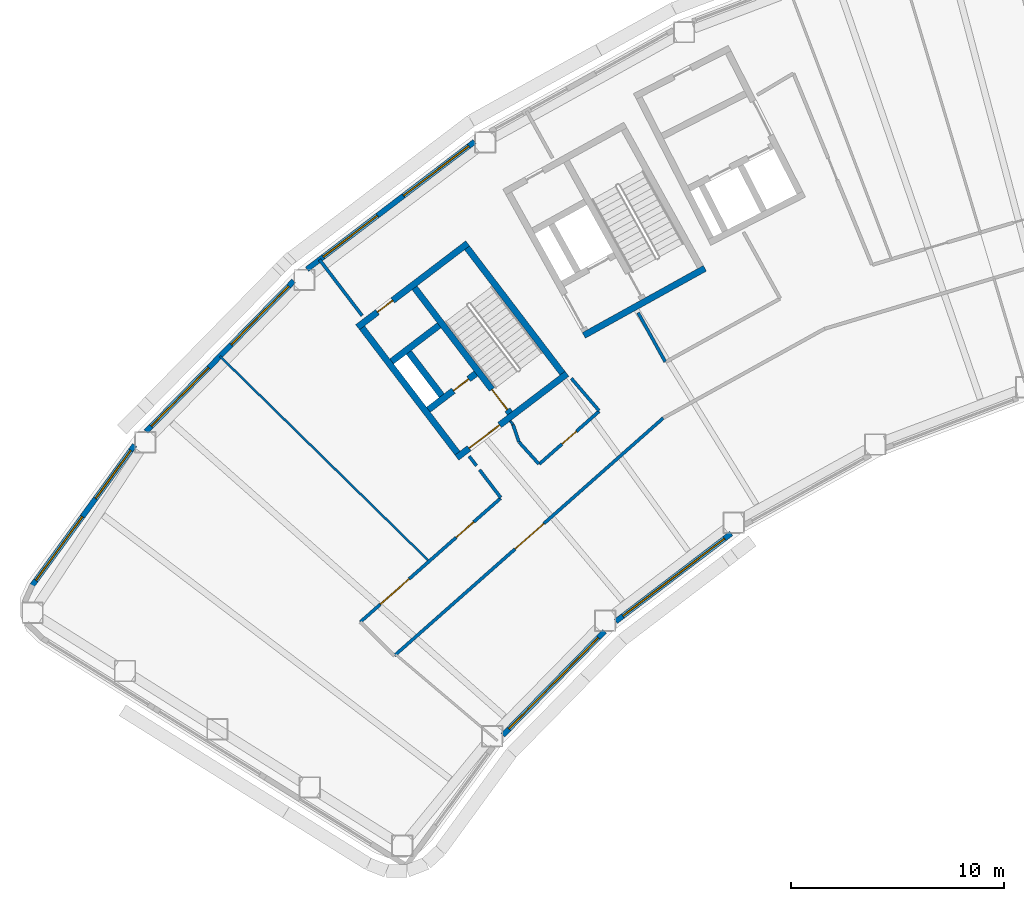
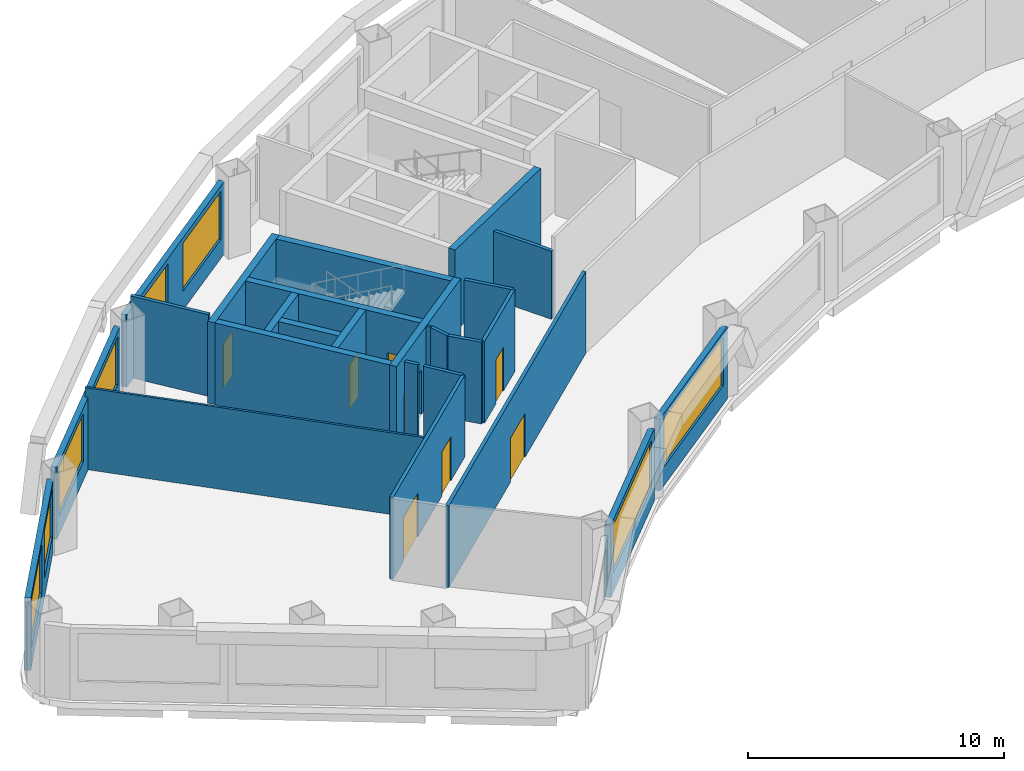
# One storey, part 3 of 11: 26 walls, 8 doors, 8 windows, 16 openings.
"""IFC4 building model written with IfcOpenShell, lengths in metres."""

from ifc_helpers import new_model, si_unit, direction, frame, frame_2d, origin, place, context, subcontext, project, spatial, rectangle, extrude, material, layer, layer_set, type_object, element, fill, save


model = new_model("IFC4")

# Units and contexts
model_context = context("Model", 3, precision=1e-05, world=origin(), true_north=direction((0.0, 1.0)))
body_context = subcontext(model_context, "Body", "Model", "MODEL_VIEW")
ifc_project = project(units=[si_unit("LENGTHUNIT", "METRE"), si_unit("AREAUNIT", "SQUARE_METRE"), si_unit("VOLUMEUNIT", "CUBIC_METRE"), si_unit("PLANEANGLEUNIT", "RADIAN"), si_unit("MASSUNIT", "GRAM", prefix="KILO")], contexts=[model_context])

# Site, building, storey
site_placement = place(None, origin())
site = spatial("IfcSite", under=ifc_project, at=site_placement, CompositionType="ELEMENT")
building_placement = place(site_placement, origin())
building = spatial("IfcBuilding", under=site, at=building_placement, Name="Tuul Gate Civic Tower", CompositionType="ELEMENT")
storey_placement = place(building_placement, frame((0.0, 0.0, 142.39990234375)))
storey = spatial("IfcBuildingStorey", under=building, at=storey_placement, Name="Level 32", CompositionType="ELEMENT", Elevation=142.39990234375)

# Wall, opening, door
ifc_material_1 = material(Name="Concrete C50/60", Category="concrete")
ifc_layer_1 = layer(ifc_material_1, 0.300048828125)
ifc_layer_set_1 = layer_set([ifc_layer_1], Name="Concrete C50/60")
wall_type_1 = type_object("IfcWallType", Name="Core wall C50/60", PredefinedType="SHEAR", material=ifc_layer_set_1)
wall_1_placement = place(storey_placement, frame((-31.19091796875, -13.669677734375, 0.0), z_axis=(0.0, 0.0, 1.0), x_axis=(-0.795606717756, -0.605813461934, 0.0)))
wall_1 = element("IfcWall", 1, at=wall_1_placement, inside=storey, type_object=wall_type_1, Name="Core wall", PredefinedType="SHEAR", context=body_context, shape_type="SweptSolid", body=[
    extrude(rectangle(XDim=6.5, YDim=0.300048828125, at=frame_2d((3.25, 0.0))), origin(), (0.0, 0.0, 1.0), 3.900146484375),
])
opening_1_placement = place(wall_1_placement, frame((3.97509765625, 0.0, 0.0)))
opening_1 = element("IfcOpeningElement", 2, at=opening_1_placement, cuts=wall_1, Name="Opening LB-W1-LOBBY-1", PredefinedType="OPENING", context=body_context, shape_type="SweptSolid", body=[
    extrude(rectangle(XDim=1.800048828125, YDim=2.10009765625, at=frame_2d((0.89990234375, 1.050048828125))), frame((0.0, 0.16015625, 0.0), z_axis=(0.0, -1.0, 0.0), x_axis=(1.0, 0.0, 0.0)), (0.0, 0.0, 1.0), 0.320068359375),
])
ifc_material_2 = material(Name="Steel", Category="steel")
door_type_1 = type_object("IfcDoorType", Name="Lobby door", OperationType="DOUBLE_DOOR_SINGLE_SWING", PredefinedType="DOOR", material=ifc_material_2)
door_1_placement = place(opening_1_placement, origin())
door_1 = element("IfcDoor", 3, at=door_1_placement, inside=storey, type_object=door_type_1, Name="Lobby door W1-LOBBY", OperationType="DOUBLE_DOOR_SINGLE_SWING", OverallHeight=2.10009765625, OverallWidth=1.800048828125, PredefinedType="DOOR", context=body_context, shape_type="SweptSolid", body=[
    extrude(rectangle(XDim=1.800048828125, YDim=2.10009765625, at=frame_2d((0.89990234375, 1.050048828125))), frame((0.0, 0.02490234375, 0.0), z_axis=(0.0, -1.0, 0.0), x_axis=(1.0, 0.0, 0.0)), (0.0, 0.0, 1.0), 0.050048828125),
])
fill(opening_1, door_1)

wall_2_placement = place(storey_placement, frame((-35.470947265625, -13.66064453125, 0.0), z_axis=(0.0, 0.0, 1.0), x_axis=(-0.795615822227, -0.605801504968, 0.0)))
wall_2 = element("IfcWall", 4, at=wall_2_placement, inside=storey, type_object=wall_type_1, Name="Core wall", PredefinedType="SHEAR", context=body_context, shape_type="SweptSolid", body=[
    extrude(rectangle(XDim=2.800048828125, YDim=0.300048828125, at=frame_2d((1.39990234375, 0.0))), origin(), (0.0, 0.0, 1.0), 3.900146484375),
])
opening_2_placement = place(wall_2_placement, frame((0.425048828125, 0.0, 0.0)))
opening_2 = element("IfcOpeningElement", 5, at=opening_2_placement, cuts=wall_2, Name="Opening FB-W1A1", PredefinedType="OPENING", context=body_context, shape_type="SweptSolid", body=[
    extrude(rectangle(XDim=0.89990234375, YDim=2.10009765625, at=frame_2d((0.449951171875, 1.050048828125))), frame((0.0, 0.16015625, 0.0), z_axis=(0.0, -1.0, 0.0), x_axis=(1.0, 0.0, 0.0)), (0.0, 0.0, 1.0), 0.320068359375),
])
ifc_material_3 = material(Name="Steel", Category="steel")
door_type_2 = type_object("IfcDoorType", Name="Store door", OperationType="NOTDEFINED", PredefinedType="DOOR", material=ifc_material_3)
door_2_placement = place(opening_2_placement, frame((0.89990234375, 0.0, 0.0), z_axis=(0.0, 0.0, 1.0), x_axis=(-1.0, 0.0, 0.0)))
door_2 = element("IfcDoor", 6, at=door_2_placement, inside=storey, type_object=door_type_2, Name="Store door W1A1", OperationType="SINGLE_SWING_RIGHT", OverallHeight=2.10009765625, OverallWidth=0.89990234375, PredefinedType="DOOR", context=body_context, shape_type="SweptSolid", body=[
    extrude(rectangle(XDim=0.89990234375, YDim=2.10009765625, at=frame_2d((0.449951171875, 1.050048828125))), frame((0.0, 0.02490234375, 0.0), z_axis=(0.0, -1.0, 0.0), x_axis=(1.0, 0.0, 0.0)), (0.0, 0.0, 1.0), 0.050048828125),
])
fill(opening_2, door_2)

# Wall
wall_3_placement = place(storey_placement, frame((-37.197509765625, -11.39306640625, 0.0), z_axis=(0.0, 0.0, 1.0), x_axis=(-0.795583820278, -0.605843531707, 0.0)))
element("IfcWall", 7, at=wall_3_placement, inside=storey, type_object=wall_type_1, Name="Core wall", PredefinedType="SHEAR", context=body_context, shape_type="SweptSolid", body=[
    extrude(rectangle(XDim=2.7998046875, YDim=0.300048828125, at=frame_2d((1.39990234375, 0.0))), origin(), (0.0, 0.0, 1.0), 3.900146484375),
])

# Wall, opening, door
wall_4_placement = place(storey_placement, frame((-35.855224609375, -7.543212890625, 0.0), z_axis=(0.0, 0.0, 1.0), x_axis=(-0.79563860527, -0.605771582202, 0.0)))
wall_4 = element("IfcWall", 8, at=wall_4_placement, inside=storey, type_object=wall_type_1, Name="Core wall", PredefinedType="SHEAR", context=body_context, shape_type="SweptSolid", body=[
    extrude(rectangle(XDim=6.5, YDim=0.300048828125, at=frame_2d((3.25, 0.0))), origin(), (0.0, 0.0, 1.0), 3.900146484375),
])
opening_3_placement = place(wall_4_placement, frame((4.425048828125, 0.0, 0.0)))
opening_3 = element("IfcOpeningElement", 9, at=opening_3_placement, cuts=wall_4, Name="Opening K-D22", PredefinedType="OPENING", context=body_context, shape_type="SweptSolid", body=[
    extrude(rectangle(XDim=0.89990234375, YDim=2.10009765625, at=frame_2d((0.449951171875, 1.050048828125))), frame((0.0, 0.16015625, 0.0), z_axis=(0.0, -1.0, 0.0), x_axis=(1.0, 0.0, 0.0)), (0.0, 0.0, 1.0), 0.320068359375),
])
ifc_material_4 = material(Name="Timber door leaf", Category="wood")
door_type_3 = type_object("IfcDoorType", Name="Door D09", OperationType="NOTDEFINED", PredefinedType="DOOR", material=ifc_material_4)
door_3_placement = place(opening_3_placement, origin())
door_3 = element("IfcDoor", 10, at=door_3_placement, inside=storey, type_object=door_type_3, Name="Door K-D22", OperationType="SINGLE_SWING_LEFT", OverallHeight=2.10009765625, OverallWidth=0.89990234375, PredefinedType="DOOR", context=body_context, shape_type="SweptSolid", body=[
    extrude(rectangle(XDim=0.89990234375, YDim=2.10009765625, at=frame_2d((0.449951171875, 1.050048828125))), frame((0.0, 0.02490234375, 0.0), z_axis=(0.0, -1.0, 0.0), x_axis=(1.0, 0.0, 0.0)), (0.0, 0.0, 1.0), 0.050048828125),
])
fill(opening_3, door_3)

# Wall
wall_5_placement = place(storey_placement, frame((-31.401123046875, -13.64111328125, 0.0), z_axis=(0.0, 0.0, 1.0), x_axis=(-0.605769822278, 0.795639945213, 0.0)))
element("IfcWall", 11, at=wall_5_placement, inside=storey, type_object=wall_type_1, Name="Core wall", PredefinedType="SHEAR", context=body_context, shape_type="SweptSolid", body=[
    extrude(rectangle(XDim=7.39990234375, YDim=0.300048828125, at=frame_2d((3.699951171875, 0.0))), origin(), (0.0, 0.0, 1.0), 3.900146484375),
])

# Wall, opening, door
wall_6_placement = place(storey_placement, frame((-33.867431640625, -15.51904296875, 0.0), z_axis=(0.0, 0.0, 1.0), x_axis=(-0.605769822278, 0.795639945213, 0.0)))
wall_6 = element("IfcWall", 12, at=wall_6_placement, inside=storey, type_object=wall_type_1, Name="Core wall", PredefinedType="SHEAR", context=body_context, shape_type="SweptSolid", body=[
    extrude(rectangle(XDim=7.39990234375, YDim=0.300048828125, at=frame_2d((3.699951171875, 0.0))), origin(), (0.0, 0.0, 1.0), 3.900146484375),
])
opening_4_placement = place(wall_6_placement, frame((0.199951171875, 0.0, 0.0)))
opening_4 = element("IfcOpeningElement", 13, at=opening_4_placement, cuts=wall_6, Name="Opening SD-ST-1", PredefinedType="OPENING", context=body_context, shape_type="SweptSolid", body=[
    extrude(rectangle(XDim=1.199951171875, YDim=2.10009765625, at=frame_2d((0.60009765625, 1.050048828125))), frame((0.0, 0.16015625, 0.0), z_axis=(0.0, -1.0, 0.0), x_axis=(1.0, 0.0, 0.0)), (0.0, 0.0, 1.0), 0.320068359375),
])
ifc_material_5 = material(Name="Steel", Category="steel")
door_type_4 = type_object("IfcDoorType", Name="Stair door", OperationType="NOTDEFINED", PredefinedType="DOOR", material=ifc_material_5)
door_4_placement = place(opening_4_placement, origin())
door_4 = element("IfcDoor", 14, at=door_4_placement, inside=storey, type_object=door_type_4, Name="Stair door ST-1", OperationType="SINGLE_SWING_LEFT", OverallHeight=2.10009765625, OverallWidth=1.199951171875, PredefinedType="DOOR", context=body_context, shape_type="SweptSolid", body=[
    extrude(rectangle(XDim=1.199951171875, YDim=2.10009765625, at=frame_2d((0.60009765625, 1.050048828125))), frame((0.0, 0.02490234375, 0.0), z_axis=(0.0, -1.0, 0.0), x_axis=(1.0, 0.0, 0.0)), (0.0, 0.0, 1.0), 0.050048828125),
])
fill(opening_4, door_4)

# Walls
wall_7_placement = place(storey_placement, frame((-37.073486328125, -14.6923828125, 0.0), z_axis=(0.0, 0.0, 1.0), x_axis=(-0.605728760074, 0.79567120673, 0.0)))
element("IfcWall", 15, at=wall_7_placement, inside=storey, type_object=wall_type_1, Name="Core wall", PredefinedType="SHEAR", context=body_context, shape_type="SweptSolid", body=[
    extrude(rectangle(XDim=2.550048828125, YDim=0.300048828125, at=frame_2d((1.27490234375, 0.0))), origin(), (0.0, 0.0, 1.0), 3.900146484375),
])
wall_8_placement = place(storey_placement, frame((-36.333984375, -17.397216796875, 0.0), z_axis=(0.0, 0.0, 1.0), x_axis=(-0.605753921168, 0.795652051458, 0.0)))
element("IfcWall", 16, at=wall_8_placement, inside=storey, type_object=wall_type_1, Name="Core wall", PredefinedType="SHEAR", context=body_context, shape_type="SweptSolid", body=[
    extrude(rectangle(XDim=7.400146484375, YDim=0.300048828125, at=frame_2d((3.7001953125, 0.0))), origin(), (0.0, 0.0, 1.0), 3.900146484375),
])
wall_9_placement = place(storey_placement, frame((-24.711669921875, -8.7158203125, 0.0), z_axis=(0.0, 0.0, 1.0), x_axis=(-0.874629909008, -0.484791215132, 0.0)))
element("IfcWall", 17, at=wall_9_placement, inside=storey, type_object=wall_type_1, Name="Core wall", PredefinedType="SHEAR", context=body_context, shape_type="SweptSolid", body=[
    extrude(rectangle(XDim=6.5, YDim=0.300048828125, at=frame_2d((3.25, 0.0))), origin(), (0.0, 0.0, 1.0), 3.900146484375),
])
ifc_material_6 = material(Name="Gypsum board partition")
ifc_layer_2 = layer(ifc_material_6, 0.14990234375)
ifc_layer_set_2 = layer_set([ifc_layer_2], Name="Gypsum board partition")
wall_type_2 = type_object("IfcWallType", Name="Corridor wall P150", PredefinedType="PARTITIONING", material=ifc_layer_set_2)
wall_10_placement = place(storey_placement, frame((-42.81591796875, -8.305908203125, 0.0), z_axis=(0.0, 0.0, 1.0), x_axis=(0.605792000774, -0.795623058865, 0.0)))
element("IfcWall", 18, at=wall_10_placement, inside=storey, type_object=wall_type_2, Name="p040", PredefinedType="PARTITIONING", context=body_context, shape_type="SweptSolid", body=[
    extrude(rectangle(XDim=3.30908203125, YDim=0.14990234375, at=frame_2d((1.654541015625, 0.0))), origin(), (0.0, 0.0, 1.0), 3.900146484375),
])
wall_11_placement = place(storey_placement, frame((-35.781982421875, -17.543701171875, 0.0), z_axis=(0.0, 0.0, 1.0), x_axis=(0.605689443853, -0.795701135858, 0.0)))
element("IfcWall", 19, at=wall_11_placement, inside=storey, type_object=wall_type_2, Name="p041", PredefinedType="PARTITIONING", context=body_context, shape_type="SweptSolid", body=[
    extrude(rectangle(XDim=0.5615234375, YDim=0.14990234375, at=frame_2d((0.28076171875, 0.0))), origin(), (0.0, 0.0, 1.0), 3.900146484375),
])
wall_12_placement = place(storey_placement, frame((-35.29541015625, -18.182861328125, 0.0), z_axis=(0.0, 0.0, 1.0), x_axis=(0.605782572561, -0.795630237473, 0.0)))
element("IfcWall", 20, at=wall_12_placement, inside=storey, type_object=wall_type_2, Name="p042", PredefinedType="PARTITIONING", context=body_context, shape_type="SweptSolid", body=[
    extrude(rectangle(XDim=1.636962890625, YDim=0.14990234375, at=frame_2d((0.818359375, 0.0))), origin(), (0.0, 0.0, 1.0), 3.900146484375),
])

# Wall, openings, doors
wall_13_placement = place(storey_placement, frame((-40.899658203125, -25.33203125, 0.0), z_axis=(0.0, 0.0, 1.0), x_axis=(0.749781945451, 0.66168499626, 0.0)))
wall_13 = element("IfcWall", 21, at=wall_13_placement, inside=storey, type_object=wall_type_2, Name="p043", PredefinedType="PARTITIONING", context=body_context, shape_type="SweptSolid", body=[
    extrude(rectangle(XDim=8.793212890625, YDim=0.14990234375, at=frame_2d((4.396484375, 0.0))), origin(), (0.0, 0.0, 1.0), 3.900146484375),
])
opening_5_placement = place(wall_13_placement, frame((6.003662109375, 0.0, 0.0)))
opening_5 = element("IfcOpeningElement", 22, at=opening_5_placement, cuts=wall_13, Name="Opening K-D16", PredefinedType="OPENING", context=body_context, shape_type="SweptSolid", body=[
    extrude(rectangle(XDim=1.10009765625, YDim=2.10009765625, at=frame_2d((0.550048828125, 1.050048828125))), frame((0.0, 0.0849609375, 0.0), z_axis=(0.0, -1.0, 0.0), x_axis=(1.0, 0.0, 0.0)), (0.0, 0.0, 1.0), 0.169921875),
])
opening_6_placement = place(wall_13_placement, frame((1.2568359375, 0.0, 0.0)))
opening_6 = element("IfcOpeningElement", 23, at=opening_6_placement, cuts=wall_13, Name="Opening K-D17", PredefinedType="OPENING", context=body_context, shape_type="SweptSolid", body=[
    extrude(rectangle(XDim=1.800048828125, YDim=2.10009765625, at=frame_2d((0.89990234375, 1.050048828125))), frame((0.0, 0.0849609375, 0.0), z_axis=(0.0, -1.0, 0.0), x_axis=(1.0, 0.0, 0.0)), (0.0, 0.0, 1.0), 0.169921875),
])
ifc_material_7 = material(Name="Timber door leaf", Category="wood")
door_type_5 = type_object("IfcDoorType", Name="Door D11", OperationType="NOTDEFINED", PredefinedType="DOOR", material=ifc_material_7)
door_5_placement = place(opening_5_placement, origin())
door_5 = element("IfcDoor", 24, at=door_5_placement, inside=storey, type_object=door_type_5, Name="Door K-D16", OperationType="SINGLE_SWING_RIGHT", OverallHeight=2.10009765625, OverallWidth=1.10009765625, PredefinedType="DOOR", context=body_context, shape_type="SweptSolid", body=[
    extrude(rectangle(XDim=1.10009765625, YDim=2.10009765625, at=frame_2d((0.550048828125, 1.050048828125))), frame((0.0, 0.02490234375, 0.0), z_axis=(0.0, -1.0, 0.0), x_axis=(1.0, 0.0, 0.0)), (0.0, 0.0, 1.0), 0.050048828125),
])
fill(opening_5, door_5)
ifc_material_8 = material(Name="Timber door leaf, double", Category="wood")
door_type_6 = type_object("IfcDoorType", Name="Door D18", OperationType="DOUBLE_DOOR_SINGLE_SWING", PredefinedType="DOOR", material=ifc_material_8)
door_6_placement = place(opening_6_placement, origin())
door_6 = element("IfcDoor", 25, at=door_6_placement, inside=storey, type_object=door_type_6, Name="Door K-D17", OperationType="DOUBLE_DOOR_SINGLE_SWING", OverallHeight=2.10009765625, OverallWidth=1.800048828125, PredefinedType="DOOR", context=body_context, shape_type="SweptSolid", body=[
    extrude(rectangle(XDim=1.800048828125, YDim=2.10009765625, at=frame_2d((0.89990234375, 1.050048828125))), frame((0.0, 0.02490234375, 0.0), z_axis=(0.0, -1.0, 0.0), x_axis=(1.0, 0.0, 0.0)), (0.0, 0.0, 1.0), 0.050048828125),
])
fill(opening_6, door_6)

# Wall, opening, door
wall_14_placement = place(storey_placement, frame((-32.484375, -17.9052734375, 0.0), z_axis=(0.0, 0.0, 1.0), x_axis=(0.749792069246, 0.661673524403, 0.0)))
wall_14 = element("IfcWall", 26, at=wall_14_placement, inside=storey, type_object=wall_type_2, Name="p044", PredefinedType="PARTITIONING", context=body_context, shape_type="SweptSolid", body=[
    extrude(rectangle(XDim=3.73486328125, YDim=0.14990234375, at=frame_2d((1.867431640625, 0.0))), origin(), (0.0, 0.0, 1.0), 3.900146484375),
])
opening_7_placement = place(wall_14_placement, frame((1.417236328125, 0.0, 0.0)))
opening_7 = element("IfcOpeningElement", 27, at=opening_7_placement, cuts=wall_14, Name="Opening K-D21", PredefinedType="OPENING", context=body_context, shape_type="SweptSolid", body=[
    extrude(rectangle(XDim=0.89990234375, YDim=2.10009765625, at=frame_2d((0.449951171875, 1.050048828125))), frame((0.0, 0.0849609375, 0.0), z_axis=(0.0, -1.0, 0.0), x_axis=(1.0, 0.0, 0.0)), (0.0, 0.0, 1.0), 0.169921875),
])
door_7_placement = place(opening_7_placement, origin())
door_7 = element("IfcDoor", 28, at=door_7_placement, inside=storey, type_object=door_type_3, Name="Door K-D21", OperationType="SINGLE_SWING_RIGHT", OverallHeight=2.10009765625, OverallWidth=0.89990234375, PredefinedType="DOOR", context=body_context, shape_type="SweptSolid", body=[
    extrude(rectangle(XDim=0.89990234375, YDim=2.10009765625, at=frame_2d((0.449951171875, 1.050048828125))), frame((0.0, 0.02490234375, 0.0), z_axis=(0.0, -1.0, 0.0), x_axis=(1.0, 0.0, 0.0)), (0.0, 0.0, 1.0), 0.050048828125),
])
fill(opening_7, door_7)

wall_15_placement = place(storey_placement, frame((-39.298583984375, -26.912841796875, 0.0), z_axis=(0.0, 0.0, 1.0), x_axis=(0.749293653806, 0.662237888048, 0.0)))
wall_15 = element("IfcWall", 29, at=wall_15_placement, inside=storey, type_object=wall_type_2, Name="p047", PredefinedType="PARTITIONING", context=body_context, shape_type="SweptSolid", body=[
    extrude(rectangle(XDim=16.857421875, YDim=0.14990234375, at=frame_2d((8.4287109375, 0.0))), origin(), (0.0, 0.0, 1.0), 3.900146484375),
])
opening_8_placement = place(wall_15_placement, frame((7.57177734375, 0.0, 0.0)))
opening_8 = element("IfcOpeningElement", 30, at=opening_8_placement, cuts=wall_15, Name="Opening K-D20", PredefinedType="OPENING", context=body_context, shape_type="SweptSolid", body=[
    extrude(rectangle(XDim=1.800048828125, YDim=2.10009765625, at=frame_2d((0.89990234375, 1.050048828125))), frame((0.0, 0.0849609375, 0.0), z_axis=(0.0, -1.0, 0.0), x_axis=(1.0, 0.0, 0.0)), (0.0, 0.0, 1.0), 0.169921875),
])
door_8_placement = place(opening_8_placement, frame((1.800048828125, 0.0, 0.0), z_axis=(0.0, 0.0, 1.0), x_axis=(-1.0, 0.0, 0.0)))
door_8 = element("IfcDoor", 31, at=door_8_placement, inside=storey, type_object=door_type_6, Name="Door K-D20", OperationType="DOUBLE_DOOR_SINGLE_SWING", OverallHeight=2.10009765625, OverallWidth=1.800048828125, PredefinedType="DOOR", context=body_context, shape_type="SweptSolid", body=[
    extrude(rectangle(XDim=1.800048828125, YDim=2.10009765625, at=frame_2d((0.900146484375, 1.050048828125))), frame((0.0, 0.02490234375, 0.0), z_axis=(0.0, -1.0, 0.0), x_axis=(1.0, 0.0, 0.0)), (0.0, 0.0, 1.0), 0.050048828125),
])
fill(opening_8, door_8)

# Walls
wall_16_placement = place(storey_placement, frame((-30.98193359375, -13.888916015625, 0.0), z_axis=(0.0, 0.0, 1.0), x_axis=(0.65094236627, -0.759127153904, 0.0)))
element("IfcWall", 32, at=wall_16_placement, inside=storey, type_object=wall_type_2, Name="p053", PredefinedType="PARTITIONING", context=body_context, shape_type="SweptSolid", body=[
    extrude(rectangle(XDim=1.9970703125, YDim=0.14990234375, at=frame_2d((0.99853515625, 0.0))), origin(), (0.0, 0.0, 1.0), 3.900146484375),
])
wall_17_placement = place(storey_placement, frame((-33.44140625, -16.878173828125, 0.0), z_axis=(0.0, 0.0, 1.0), x_axis=(0.671010390582, -0.741447945395, 0.0)))
element("IfcWall", 33, at=wall_17_placement, inside=storey, type_object=wall_type_2, Name="p054", PredefinedType="PARTITIONING", context=body_context, shape_type="SweptSolid", body=[
    extrude(rectangle(XDim=1.383056640625, YDim=0.14990234375, at=frame_2d((0.69140625, 0.0))), origin(), (0.0, 0.0, 1.0), 3.900146484375),
])
wall_18_placement = place(storey_placement, frame((-33.7265625, -16.053466796875, 0.0), z_axis=(0.0, 0.0, 1.0), x_axis=(0.324534094139, -0.945873998872, 0.0)))
element("IfcWall", 34, at=wall_18_placement, inside=storey, type_object=wall_type_2, Name="p055", PredefinedType="PARTITIONING", context=body_context, shape_type="SweptSolid", body=[
    extrude(rectangle(XDim=0.86279296875, YDim=0.14990234375, at=frame_2d((0.431396484375, 0.0))), origin(), (0.0, 0.0, 1.0), 3.900146484375),
])
ifc_material_9 = material(Name="Gypsum board partition")
ifc_layer_3 = layer(ifc_material_9, 0.14990234375)
ifc_layer_set_3 = layer_set([ifc_layer_3], Name="Gypsum board partition")
wall_type_3 = type_object("IfcWallType", Name="Corridor wall P150 3250 HIGH", PredefinedType="PARTITIONING", material=ifc_layer_set_3)
wall_19_placement = place(storey_placement, frame((-27.850341796875, -10.799560546875, 0.0), z_axis=(0.0, 0.0, 1.0), x_axis=(0.484241113258, -0.874934594259, 0.0)))
element("IfcWall", 35, at=wall_19_placement, inside=storey, type_object=wall_type_3, Name="p038", PredefinedType="PARTITIONING", context=body_context, shape_type="SweptSolid", body=[
    extrude(rectangle(XDim=2.63330078125, YDim=0.14990234375, at=frame_2d((1.316650390625, 0.0))), origin(), (0.0, 0.0, 1.0), 3.25),
])

# Wall, openings, windows
ifc_material_10 = material(Name="Precast concrete C40/50", Category="concrete")
ifc_layer_4 = layer(ifc_material_10, 0.25)
ifc_layer_set_4 = layer_set([ifc_layer_4], Name="Precast concrete C40/50")
wall_type_4 = type_object("IfcWallType", Name="External wall", PredefinedType="STANDARD", material=ifc_layer_set_4)
wall_20_placement = place(storey_placement, frame((-35.528076171875, -2.7626953125, 0.0), z_axis=(0.0, 0.0, 1.0), x_axis=(-0.79560098888, -0.605820985518, 0.0)))
wall_20 = element("IfcWall", 36, at=wall_20_placement, inside=storey, type_object=wall_type_4, Name="External wall", PredefinedType="STANDARD", context=body_context, shape_type="SweptSolid", body=[
    extrude(rectangle(XDim=9.89794921875, YDim=0.25, at=frame_2d((4.948974609375, 0.0))), origin(), (0.0, 0.0, 1.0), 3.4501953125),
])
opening_9_placement = place(wall_20_placement, frame((0.347412109375, 0.0, 0.89990234375)))
opening_9 = element("IfcOpeningElement", 37, at=opening_9_placement, cuts=wall_20, Name="Opening W22", PredefinedType="OPENING", context=body_context, shape_type="SweptSolid", body=[
    extrude(rectangle(XDim=3.85009765625, YDim=2.300048828125, at=frame_2d((1.925048828125, 1.14990234375))), frame((0.0, 0.135009765625, 0.0), z_axis=(0.0, -1.0, 0.0), x_axis=(1.0, 0.0, 0.0)), (0.0, 0.0, 1.0), 0.27001953125),
])
opening_10_placement = place(wall_20_placement, frame((5.7373046875, 0.0, 0.89990234375)))
opening_10 = element("IfcOpeningElement", 38, at=opening_10_placement, cuts=wall_20, Name="Opening W48", PredefinedType="OPENING", context=body_context, shape_type="SweptSolid", body=[
    extrude(rectangle(XDim=3.199951171875, YDim=2.300048828125, at=frame_2d((1.60009765625, 1.14990234375))), frame((0.0, 0.135009765625, 0.0), z_axis=(0.0, -1.0, 0.0), x_axis=(1.0, 0.0, 0.0)), (0.0, 0.0, 1.0), 0.27001953125),
])
ifc_material_11 = material(Name="Glass", Category="glass")
window_type_1 = type_object("IfcWindowType", Name="Window 3200 x 2300", PartitioningType="SINGLE_PANEL", PredefinedType="WINDOW", material=ifc_material_11)
window_1_placement = place(opening_10_placement, origin())
window_1 = element("IfcWindow", 39, at=window_1_placement, inside=storey, type_object=window_type_1, Name="Window", OverallHeight=2.300048828125, OverallWidth=3.199951171875, PartitioningType="SINGLE_PANEL", PredefinedType="WINDOW", context=body_context, shape_type="SweptSolid", body=[
    extrude(rectangle(XDim=3.199951171875, YDim=2.300048828125, at=frame_2d((1.60009765625, 1.14990234375))), frame((0.0, 0.030029296875, 0.0), z_axis=(0.0, -1.0, 0.0), x_axis=(1.0, 0.0, 0.0)), (0.0, 0.0, 1.0), 0.06005859375),
])
fill(opening_10, window_1)
ifc_material_12 = material(Name="Glass", Category="glass")
window_type_2 = type_object("IfcWindowType", Name="Window W22 3850 x 2300", PartitioningType="SINGLE_PANEL", PredefinedType="WINDOW", material=ifc_material_12)
window_2_placement = place(opening_9_placement, origin())
window_2 = element("IfcWindow", 40, at=window_2_placement, inside=storey, type_object=window_type_2, Name="Window", OverallHeight=2.300048828125, OverallWidth=3.85009765625, PartitioningType="SINGLE_PANEL", PredefinedType="WINDOW", context=body_context, shape_type="SweptSolid", body=[
    extrude(rectangle(XDim=3.85009765625, YDim=2.300048828125, at=frame_2d((1.925048828125, 1.14990234375))), frame((0.0, 0.030029296875, 0.0), z_axis=(0.0, -1.0, 0.0), x_axis=(1.0, 0.0, 0.0)), (0.0, 0.0, 1.0), 0.06005859375),
])
fill(opening_9, window_2)

wall_21_placement = place(storey_placement, frame((-44.02392578125, -9.3056640625, 0.0), z_axis=(0.0, 0.0, 1.0), x_axis=(-0.700052449461, -0.714091428323, 0.0)))
wall_21 = element("IfcWall", 41, at=wall_21_placement, inside=storey, type_object=wall_type_4, Name="External wall", PredefinedType="STANDARD", context=body_context, shape_type="SweptSolid", body=[
    extrude(rectangle(XDim=9.912353515625, YDim=0.25, at=frame_2d((4.9560546875, 0.0))), origin(), (0.0, 0.0, 1.0), 3.4501953125),
])
opening_11_placement = place(wall_21_placement, frame((0.344482421875, 0.0, 0.89990234375)))
opening_11 = element("IfcOpeningElement", 42, at=opening_11_placement, cuts=wall_21, Name="Opening W22", PredefinedType="OPENING", context=body_context, shape_type="SweptSolid", body=[
    extrude(rectangle(XDim=3.85009765625, YDim=2.300048828125, at=frame_2d((1.925048828125, 1.14990234375))), frame((0.0, 0.135009765625, 0.0), z_axis=(0.0, -1.0, 0.0), x_axis=(1.0, 0.0, 0.0)), (0.0, 0.0, 1.0), 0.27001953125),
])
opening_12_placement = place(wall_21_placement, frame((5.715576171875, 0.0, 0.89990234375)))
opening_12 = element("IfcOpeningElement", 43, at=opening_12_placement, cuts=wall_21, Name="Opening W22", PredefinedType="OPENING", context=body_context, shape_type="SweptSolid", body=[
    extrude(rectangle(XDim=3.85009765625, YDim=2.300048828125, at=frame_2d((1.925048828125, 1.14990234375))), frame((0.0, 0.135009765625, 0.0), z_axis=(0.0, -1.0, 0.0), x_axis=(1.0, 0.0, 0.0)), (0.0, 0.0, 1.0), 0.27001953125),
])
window_3_placement = place(opening_11_placement, origin())
window_3 = element("IfcWindow", 44, at=window_3_placement, inside=storey, type_object=window_type_2, Name="Window", OverallHeight=2.300048828125, OverallWidth=3.85009765625, PartitioningType="SINGLE_PANEL", PredefinedType="WINDOW", context=body_context, shape_type="SweptSolid", body=[
    extrude(rectangle(XDim=3.85009765625, YDim=2.300048828125, at=frame_2d((1.925048828125, 1.14990234375))), frame((0.0, 0.030029296875, 0.0), z_axis=(0.0, -1.0, 0.0), x_axis=(1.0, 0.0, 0.0)), (0.0, 0.0, 1.0), 0.06005859375),
])
fill(opening_11, window_3)
window_4_placement = place(opening_12_placement, origin())
window_4 = element("IfcWindow", 45, at=window_4_placement, inside=storey, type_object=window_type_2, Name="Window", OverallHeight=2.300048828125, OverallWidth=3.85009765625, PartitioningType="SINGLE_PANEL", PredefinedType="WINDOW", context=body_context, shape_type="SweptSolid", body=[
    extrude(rectangle(XDim=3.85009765625, YDim=2.300048828125, at=frame_2d((1.925048828125, 1.14990234375))), frame((0.0, 0.030029296875, 0.0), z_axis=(0.0, -1.0, 0.0), x_axis=(1.0, 0.0, 0.0)), (0.0, 0.0, 1.0), 0.06005859375),
])
fill(opening_12, window_4)

wall_22_placement = place(storey_placement, frame((-51.498046875, -17.017578125, 0.0), z_axis=(0.0, 0.0, 1.0), x_axis=(-0.589745261817, -0.807589330145, 0.0)))
wall_22 = element("IfcWall", 46, at=wall_22_placement, inside=storey, type_object=wall_type_4, Name="External wall", PredefinedType="STANDARD", context=body_context, shape_type="SweptSolid", body=[
    extrude(rectangle(XDim=8.167724609375, YDim=0.25, at=frame_2d((4.083984375, 0.0))), origin(), (0.0, 0.0, 1.0), 3.4501953125),
])
opening_13_placement = place(wall_22_placement, frame((0.315185546875, 0.0, 0.89990234375)))
opening_13 = element("IfcOpeningElement", 47, at=opening_13_placement, cuts=wall_22, Name="Opening W23", PredefinedType="OPENING", context=body_context, shape_type="SweptSolid", body=[
    extrude(rectangle(XDim=2.800048828125, YDim=2.300048828125, at=frame_2d((1.39990234375, 1.14990234375))), frame((0.0, 0.135009765625, 0.0), z_axis=(0.0, -1.0, 0.0), x_axis=(1.0, 0.0, 0.0)), (0.0, 0.0, 1.0), 0.27001953125),
])
opening_14_placement = place(wall_22_placement, frame((4.1669921875, 0.0, 0.89990234375)))
opening_14 = element("IfcOpeningElement", 48, at=opening_14_placement, cuts=wall_22, Name="Opening W21", PredefinedType="OPENING", context=body_context, shape_type="SweptSolid", body=[
    extrude(rectangle(XDim=3.699951171875, YDim=2.300048828125, at=frame_2d((1.85009765625, 1.14990234375))), frame((0.0, 0.135009765625, 0.0), z_axis=(0.0, -1.0, 0.0), x_axis=(1.0, 0.0, 0.0)), (0.0, 0.0, 1.0), 0.27001953125),
])
ifc_material_13 = material(Name="Glass", Category="glass")
window_type_3 = type_object("IfcWindowType", Name="Window W21 3700 x 2300", PartitioningType="SINGLE_PANEL", PredefinedType="WINDOW", material=ifc_material_13)
window_5_placement = place(opening_14_placement, origin())
window_5 = element("IfcWindow", 49, at=window_5_placement, inside=storey, type_object=window_type_3, Name="Window", OverallHeight=2.300048828125, OverallWidth=3.699951171875, PartitioningType="SINGLE_PANEL", PredefinedType="WINDOW", context=body_context, shape_type="SweptSolid", body=[
    extrude(rectangle(XDim=3.699951171875, YDim=2.300048828125, at=frame_2d((1.85009765625, 1.14990234375))), frame((0.0, 0.030029296875, 0.0), z_axis=(0.0, -1.0, 0.0), x_axis=(1.0, 0.0, 0.0)), (0.0, 0.0, 1.0), 0.06005859375),
])
fill(opening_14, window_5)
ifc_material_14 = material(Name="Glass", Category="glass")
window_type_4 = type_object("IfcWindowType", Name="Window W23 2800 x 2300", PartitioningType="SINGLE_PANEL", PredefinedType="WINDOW", material=ifc_material_14)
window_6_placement = place(opening_13_placement, origin())
window_6 = element("IfcWindow", 50, at=window_6_placement, inside=storey, type_object=window_type_4, Name="Window", OverallHeight=2.300048828125, OverallWidth=2.800048828125, PartitioningType="SINGLE_PANEL", PredefinedType="WINDOW", context=body_context, shape_type="SweptSolid", body=[
    extrude(rectangle(XDim=2.800048828125, YDim=2.300048828125, at=frame_2d((1.39990234375, 1.14990234375))), frame((0.0, 0.030029296875, 0.0), z_axis=(0.0, -1.0, 0.0), x_axis=(1.0, 0.0, 0.0)), (0.0, 0.0, 1.0), 0.06005859375),
])
fill(opening_13, window_6)

# Wall, opening, window
wall_23_placement = place(storey_placement, frame((-34.20703125, -30.647216796875, 0.0), z_axis=(0.0, 0.0, 1.0), x_axis=(0.700046388208, 0.714097370361, 0.0)))
wall_23 = element("IfcWall", 51, at=wall_23_placement, inside=storey, type_object=wall_type_4, Name="External wall", PredefinedType="STANDARD", context=body_context, shape_type="SweptSolid", body=[
    extrude(rectangle(XDim=6.82861328125, YDim=0.25, at=frame_2d((3.414306640625, 0.0))), origin(), (0.0, 0.0, 1.0), 3.4501953125),
])
opening_15_placement = place(wall_23_placement, frame((0.4130859375, 0.0, 0.89990234375)))
opening_15 = element("IfcOpeningElement", 52, at=opening_15_placement, cuts=wall_23, Name="Opening W26", PredefinedType="OPENING", context=body_context, shape_type="SweptSolid", body=[
    extrude(rectangle(XDim=6.0, YDim=2.300048828125, at=frame_2d((3.0, 1.14990234375))), frame((0.0, 0.135009765625, 0.0), z_axis=(0.0, -1.0, 0.0), x_axis=(1.0, 0.0, 0.0)), (0.0, 0.0, 1.0), 0.27001953125),
])
ifc_material_15 = material(Name="Glass", Category="glass")
window_type_5 = type_object("IfcWindowType", Name="Window W26 6000 x 2300", PartitioningType="SINGLE_PANEL", PredefinedType="WINDOW", material=ifc_material_15)
window_7_placement = place(opening_15_placement, origin())
window_7 = element("IfcWindow", 53, at=window_7_placement, inside=storey, type_object=window_type_5, Name="Window", OverallHeight=2.300048828125, OverallWidth=6.0, PartitioningType="SINGLE_PANEL", PredefinedType="WINDOW", context=body_context, shape_type="SweptSolid", body=[
    extrude(rectangle(XDim=6.0, YDim=2.300048828125, at=frame_2d((3.0, 1.14990234375))), frame((0.0, 0.030029296875, 0.0), z_axis=(0.0, -1.0, 0.0), x_axis=(1.0, 0.0, 0.0)), (0.0, 0.0, 1.0), 0.06005859375),
])
fill(opening_15, window_7)

wall_24_placement = place(storey_placement, frame((-28.89306640625, -25.2998046875, 0.0), z_axis=(0.0, 0.0, 1.0), x_axis=(0.795597025415, 0.605826190546, 0.0)))
wall_24 = element("IfcWall", 54, at=wall_24_placement, inside=storey, type_object=wall_type_4, Name="External wall", PredefinedType="STANDARD", context=body_context, shape_type="SweptSolid", body=[
    extrude(rectangle(XDim=6.813232421875, YDim=0.25, at=frame_2d((3.40673828125, 0.0))), origin(), (0.0, 0.0, 1.0), 3.4501953125),
])
opening_16_placement = place(wall_24_placement, frame((0.41552734375, 0.0, 0.89990234375)))
opening_16 = element("IfcOpeningElement", 55, at=opening_16_placement, cuts=wall_24, Name="Opening W26", PredefinedType="OPENING", context=body_context, shape_type="SweptSolid", body=[
    extrude(rectangle(XDim=6.0, YDim=2.300048828125, at=frame_2d((3.0, 1.14990234375))), frame((0.0, 0.135009765625, 0.0), z_axis=(0.0, -1.0, 0.0), x_axis=(1.0, 0.0, 0.0)), (0.0, 0.0, 1.0), 0.27001953125),
])
window_8_placement = place(opening_16_placement, origin())
window_8 = element("IfcWindow", 56, at=window_8_placement, inside=storey, type_object=window_type_5, Name="Window", OverallHeight=2.300048828125, OverallWidth=6.0, PartitioningType="SINGLE_PANEL", PredefinedType="WINDOW", context=body_context, shape_type="SweptSolid", body=[
    extrude(rectangle(XDim=6.0, YDim=2.300048828125, at=frame_2d((3.0, 1.14990234375))), frame((0.0, 0.030029296875, 0.0), z_axis=(0.0, -1.0, 0.0), x_axis=(1.0, 0.0, 0.0)), (0.0, 0.0, 1.0), 0.06005859375),
])
fill(opening_16, window_8)

# Walls
ifc_material_16 = material(Name="Gypsum board partition")
ifc_layer_5 = layer(ifc_material_16, 0.10009765625)
ifc_layer_set_5 = layer_set([ifc_layer_5], Name="Gypsum board partition")
wall_type_5 = type_object("IfcWallType", Name="Partition P100", PredefinedType="PARTITIONING", material=ifc_layer_set_5)
wall_25_placement = place(storey_placement, frame((-47.49658203125, -12.8408203125, 0.0), z_axis=(0.0, 0.0, 1.0), x_axis=(0.714138543978, -0.700004385704, 0.0)))
element("IfcWall", 57, at=wall_25_placement, inside=storey, type_object=wall_type_5, Name="p039", PredefinedType="PARTITIONING", context=body_context, shape_type="SweptSolid", body=[
    extrude(rectangle(XDim=13.7666015625, YDim=0.10009765625, at=frame_2d((6.88330078125, 0.0))), origin(), (0.0, 0.0, 1.0), 3.900146484375),
])
wall_26_placement = place(storey_placement, frame((-33.7265625, -16.053466796875, 0.0), z_axis=(0.0, 0.0, 1.0), x_axis=(-0.605553776309, 0.795804388023, 0.0)))
element("IfcWall", 58, at=wall_26_placement, inside=storey, type_object=wall_type_5, Name="p060", PredefinedType="PARTITIONING", context=body_context, shape_type="SweptSolid", body=[
    extrude(rectangle(XDim=0.21044921875, YDim=0.10009765625, at=frame_2d((0.105224609375, 0.0))), origin(), (0.0, 0.0, 1.0), 3.900146484375),
])

save(model, "model.ifc")
